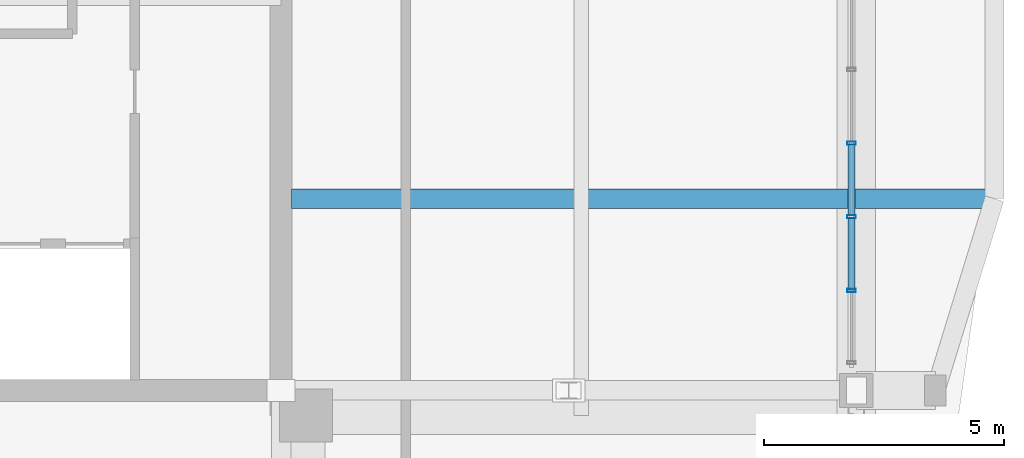
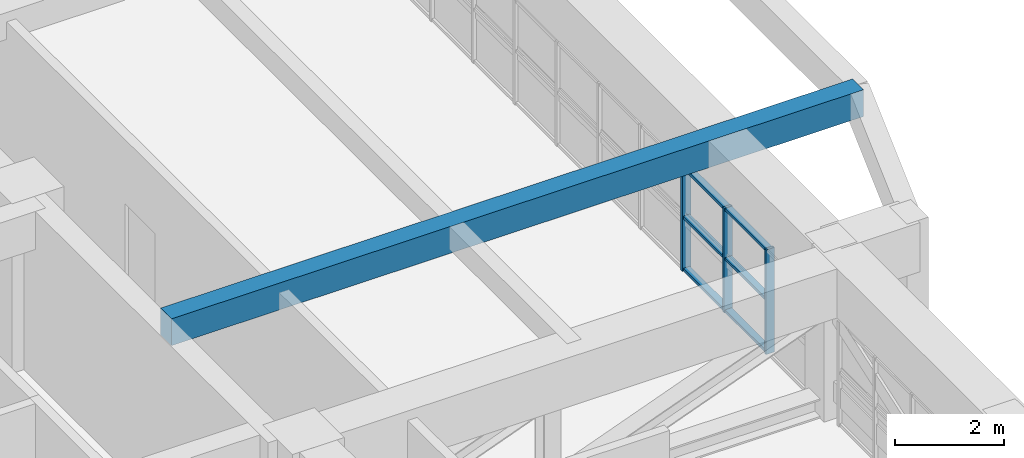
# One storey, part 10 of 25: 9 members, 1 beam, 1 element without a shape of its own.
"""IFC4 building model written with IfcOpenShell, lengths in metres."""

from ifc_helpers import new_model, si_unit, direction, frame, origin, origin_2d, place, context, subcontext, project, spatial, rectangle, hollow_rectangle, extrude, source, transform, mapped, material, layer, layer_set, material_profile, profile_set, type_object, element, aggregate, save


model = new_model("IFC4")

# Units and contexts
model_context = context("Model", 3, precision=1e-05, world=origin(), true_north=direction((0.0, 1.0)))
body_context = subcontext(model_context, "Body", "Model", "MODEL_VIEW")
ifc_project = project(units=[si_unit("LENGTHUNIT", "METRE"), si_unit("AREAUNIT", "SQUARE_METRE"), si_unit("VOLUMEUNIT", "CUBIC_METRE"), si_unit("PLANEANGLEUNIT", "RADIAN"), si_unit("MASSUNIT", "GRAM", prefix="KILO")], contexts=[model_context])

# Site, building, storey
site_placement = place(None, origin())
site = spatial("IfcSite", under=ifc_project, at=site_placement, CompositionType="ELEMENT")
building_placement = place(site_placement, origin())
building = spatial("IfcBuilding", under=site, at=building_placement, Name="Saelheon Loggia Tower", CompositionType="ELEMENT")
storey_placement = place(building_placement, frame((0.0, 0.0, 206.5)))
storey = spatial("IfcBuildingStorey", under=building, at=storey_placement, Name="L64", CompositionType="ELEMENT", Elevation=206.5)

# Beam
ifc_material_1 = material(Name="Precast Concrete C45/55", Category="concrete")
ifc_material_profile_1 = material_profile(ifc_material_1, rectangle(XDim=0.39990234375, YDim=0.60009765625, at=origin_2d()), Name="RC-400x600")
ifc_profile_set_1 = profile_set([ifc_material_profile_1], Name="Precast Concrete C45/55")
beam_type = type_object("IfcBeamType", Name="Beam_LoggiaTie_RC400x600", PredefinedType="BEAM", material=ifc_profile_set_1)
shared_shape_1 = source(origin(), body_context, "Body", "SweptSolid", [
    extrude(rectangle(XDim=0.39990234375, YDim=0.60009765625, at=origin_2d()), origin(), (0.0, 0.0, 1.0), 14.659912109375),
])
beam_placement = place(storey_placement, frame((44.719970703125, 22.0, 3.5), z_axis=(1.0, 0.0, 0.0), x_axis=(0.0, 1.0, 0.0)))
element("IfcBeam", 1, at=beam_placement, inside=storey, type_object=beam_type, Name="L64 Curved Facade Outrigger Beam E 1", PredefinedType="BEAM", context=body_context, shape_type="MappedRepresentation", body=[
    mapped(shared_shape_1, transform((0.0, 0.0, 0.0), scale=1.0)),
])

# Curtain wall, members
ifc_material_2 = material(Name="Anodised Aluminium Acoustic Louvre Curtain Wall", Category="aluminium")
ifc_layer = layer(ifc_material_2, 0.179931640625)
ifc_layer_set = layer_set([ifc_layer], Name="Anodised Aluminium Acoustic Louvre Curtain Wall")
curtain_wall_type = type_object("IfcCurtainWallType", Name="CW_RefugeAcoustic", PredefinedType="NOTDEFINED", material=ifc_layer_set)
curtain_wall_placement = place(storey_placement, origin())
curtain_wall = element("IfcCurtainWall", 2, at=curtain_wall_placement, inside=storey, type_object=curtain_wall_type, Name="L64 E Refuge Acoustic Curtain Wall 2", PredefinedType="NOTDEFINED")
ifc_material_3 = material(Name="Anodised Aluminium 6063-T6", Category="aluminium")
ifc_material_profile_2 = material_profile(ifc_material_3, hollow_rectangle(XDim=0.06494140625, YDim=0.139892578125, WallThickness=0.00390625, at=origin_2d()), Name="RHS-140x65x4")
ifc_profile_set_2 = profile_set([ifc_material_profile_2], Name="Anodised Aluminium 6063-T6")
member_type_1 = type_object("IfcMemberType", Name="CW_RefugeAcoustic_Transom", PredefinedType="USERDEFINED", material=ifc_profile_set_2)
shared_shape_2 = source(origin(), body_context, "Body", "SweptSolid", [
    extrude(hollow_rectangle(XDim=0.06494140625, YDim=0.139892578125, WallThickness=0.00390625, at=origin_2d()), origin(), (0.0, 0.0, 1.0), 1.471435546875),
])
member_1_placement = place(storey_placement, frame((56.39990234375, 20.118896484375, 0.032470703125), z_axis=(0.0, 1.0, 0.0), x_axis=(0.0, 0.0, 1.0)))
member_1 = element("IfcMember", 3, at=member_1_placement, type_object=member_type_1, Name="CW5 transom 2.1", ObjectType="TRANSOM", PredefinedType="USERDEFINED", context=body_context, shape_type="MappedRepresentation", body=[
    mapped(shared_shape_2, transform((0.0, 0.0, 0.0), scale=1.0)),
])
member_2_placement = place(storey_placement, frame((56.39990234375, 20.118896484375, 1.199951171875), z_axis=(0.0, 1.0, 0.0), x_axis=(0.0, 0.0, 1.0)))
member_2 = element("IfcMember", 4, at=member_2_placement, type_object=member_type_1, Name="CW5 transom 2.2", ObjectType="TRANSOM", PredefinedType="USERDEFINED", context=body_context, shape_type="MappedRepresentation", body=[
    mapped(shared_shape_2, transform((0.0, 0.0, 0.0), scale=1.0)),
])
member_3_placement = place(storey_placement, frame((56.39990234375, 20.118896484375, 2.3076171875), z_axis=(0.0, 1.0, 0.0), x_axis=(0.0, 0.0, 1.0)))
member_3 = element("IfcMember", 5, at=member_3_placement, type_object=member_type_1, Name="CW5 transom 2.3", ObjectType="TRANSOM", PredefinedType="USERDEFINED", context=body_context, shape_type="MappedRepresentation", body=[
    mapped(shared_shape_2, transform((0.0, 0.0, 0.0), scale=1.0)),
])
member_4_placement = place(storey_placement, frame((56.39990234375, 21.6552734375, 0.032470703125), z_axis=(0.0, 1.0, 0.0), x_axis=(0.0, 0.0, 1.0)))
member_4 = element("IfcMember", 6, at=member_4_placement, type_object=member_type_1, Name="CW5 transom 3.1", ObjectType="TRANSOM", PredefinedType="USERDEFINED", context=body_context, shape_type="MappedRepresentation", body=[
    mapped(shared_shape_2, transform((0.0, 0.0, 0.0), scale=1.0)),
])
member_5_placement = place(storey_placement, frame((56.39990234375, 21.6552734375, 1.199951171875), z_axis=(0.0, 1.0, 0.0), x_axis=(0.0, 0.0, 1.0)))
member_5 = element("IfcMember", 7, at=member_5_placement, type_object=member_type_1, Name="CW5 transom 3.2", ObjectType="TRANSOM", PredefinedType="USERDEFINED", context=body_context, shape_type="MappedRepresentation", body=[
    mapped(shared_shape_2, transform((0.0, 0.0, 0.0), scale=1.0)),
])
member_6_placement = place(storey_placement, frame((56.39990234375, 21.6552734375, 2.3076171875), z_axis=(0.0, 1.0, 0.0), x_axis=(0.0, 0.0, 1.0)))
member_6 = element("IfcMember", 8, at=member_6_placement, type_object=member_type_1, Name="CW5 transom 3.3", ObjectType="TRANSOM", PredefinedType="USERDEFINED", context=body_context, shape_type="MappedRepresentation", body=[
    mapped(shared_shape_2, transform((0.0, 0.0, 0.0), scale=1.0)),
])
ifc_material_profile_3 = material_profile(ifc_material_3, hollow_rectangle(XDim=0.06494140625, YDim=0.179931640625, WallThickness=0.00390625, at=origin_2d()), Name="RHS-180x65x4")
ifc_profile_set_3 = profile_set([ifc_material_profile_3], Name="Anodised Aluminium 6063-T6")
member_type_2 = type_object("IfcMemberType", Name="CW_RefugeAcoustic_Mullion", PredefinedType="MULLION", material=ifc_profile_set_3)
shared_shape_3 = source(origin(), body_context, "Body", "SweptSolid", [
    extrude(hollow_rectangle(XDim=0.06494140625, YDim=0.179931640625, WallThickness=0.00390625, at=origin_2d()), origin(), (0.0, 0.0, 1.0), 2.340087890625),
])
member_7_placement = place(storey_placement, frame((56.39990234375, 20.08642578125, 0.0), z_axis=(0.0, 0.0, 1.0), x_axis=(0.0, 1.0, 0.0)))
member_7 = element("IfcMember", 9, at=member_7_placement, type_object=member_type_2, Name="CW5 mullion 2", PredefinedType="MULLION", context=body_context, shape_type="MappedRepresentation", body=[
    mapped(shared_shape_3, transform((0.0, 0.0, 0.0), scale=1.0)),
])
member_8_placement = place(storey_placement, frame((56.39990234375, 21.622802734375, 0.0), z_axis=(0.0, 0.0, 1.0), x_axis=(0.0, 1.0, 0.0)))
member_8 = element("IfcMember", 10, at=member_8_placement, type_object=member_type_2, Name="CW5 mullion 3", PredefinedType="MULLION", context=body_context, shape_type="MappedRepresentation", body=[
    mapped(shared_shape_3, transform((0.0, 0.0, 0.0), scale=1.0)),
])
member_9_placement = place(storey_placement, frame((56.39990234375, 23.1591796875, 0.0), z_axis=(0.0, 0.0, 1.0), x_axis=(0.0, 1.0, 0.0)))
member_9 = element("IfcMember", 11, at=member_9_placement, type_object=member_type_2, Name="CW5 mullion 4", PredefinedType="MULLION", context=body_context, shape_type="MappedRepresentation", body=[
    mapped(shared_shape_3, transform((0.0, 0.0, 0.0), scale=1.0)),
])
aggregate(curtain_wall, [member_7, member_8, member_9, member_1, member_2, member_3, member_4, member_5, member_6])

save(model, "model.ifc")
